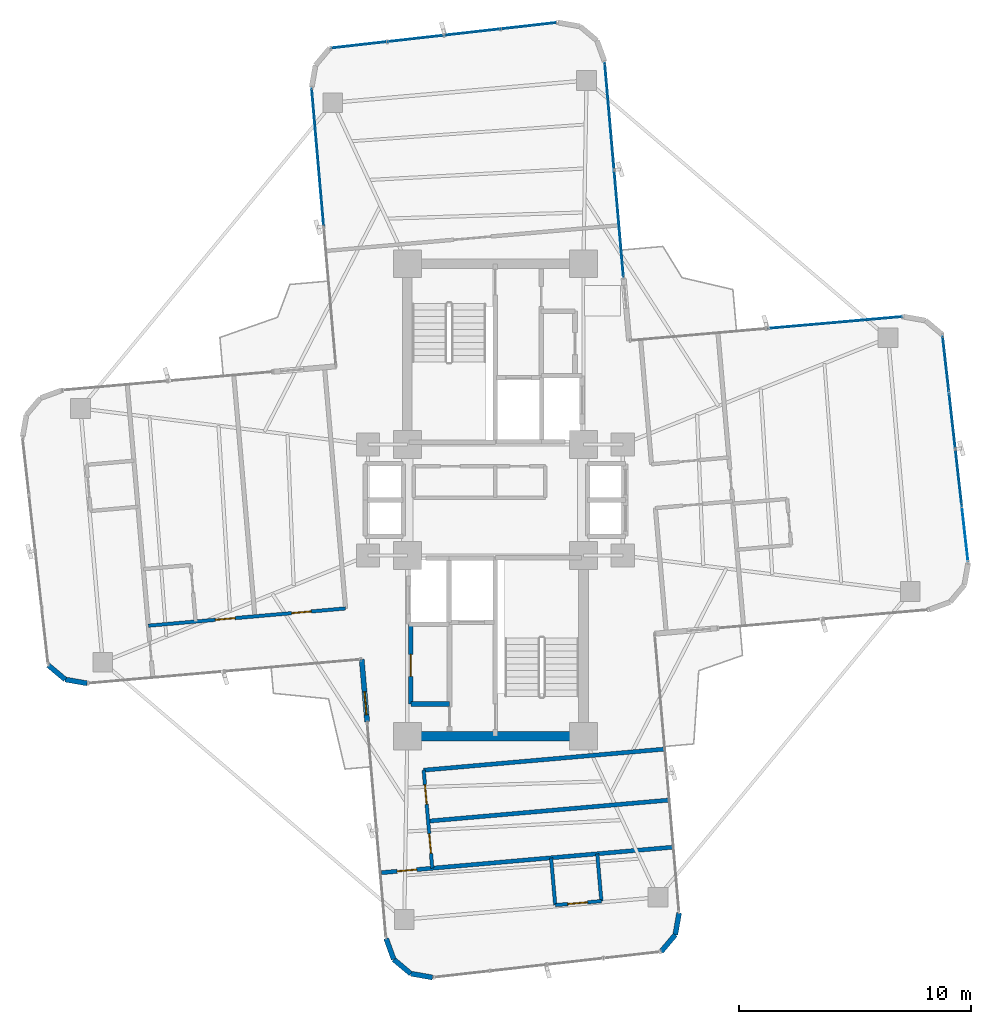
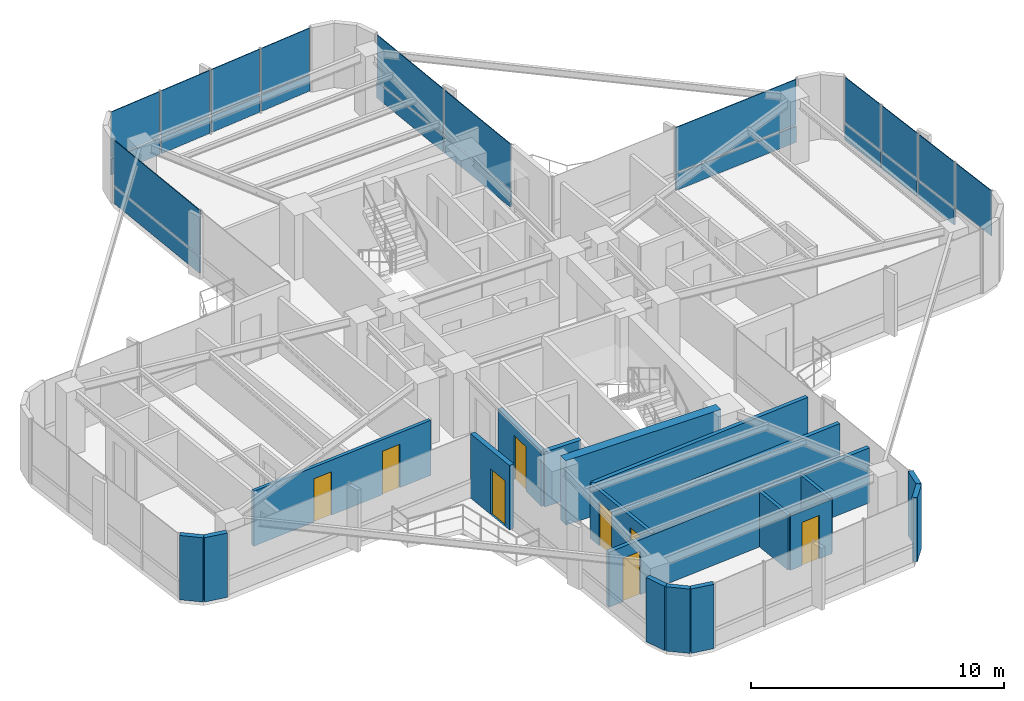
# One storey, part 20 of 24: 23 plates, 19 walls, 8 doors, 8 openings, 5 elements without a shape of their own.
"""IFC4 building model written with IfcOpenShell, lengths in metres."""

from ifc_helpers import new_model, si_unit, direction, frame, frame_2d, origin, origin_2d, place, context, subcontext, project, spatial, rectangle, extrude, source, transform, mapped, material, layer, layer_set, type_object, element, fill, aggregate, save


model = new_model("IFC4")

# Units and contexts
model_context = context("Model", 3, precision=1e-05, world=origin(), true_north=direction((0.0, 1.0)))
body_context = subcontext(model_context, "Body", "Model", "MODEL_VIEW")
ifc_project = project(units=[si_unit("LENGTHUNIT", "METRE"), si_unit("AREAUNIT", "SQUARE_METRE"), si_unit("VOLUMEUNIT", "CUBIC_METRE"), si_unit("PLANEANGLEUNIT", "RADIAN"), si_unit("MASSUNIT", "GRAM", prefix="KILO")], contexts=[model_context])

# Site, building, storey
site_placement = place(None, origin())
site = spatial("IfcSite", under=ifc_project, at=site_placement, CompositionType="ELEMENT")
building_placement = place(site_placement, origin())
building = spatial("IfcBuilding", under=site, at=building_placement, Name="Sahyath Konkavel Grand Hotel", CompositionType="ELEMENT")
storey_placement = place(building_placement, frame((0.0, 0.0, 147.25)))
storey = spatial("IfcBuildingStorey", under=building, at=storey_placement, Name="L40", CompositionType="ELEMENT", Elevation=147.25)

# Curtain wall, plates
ifc_material_1 = material(Name="Anodised Bronze Aluminium & Low-E Glazing", Category="aluminium")
curtain_wall_type = type_object("IfcCurtainWallType", Name="CW-ZONE3", PredefinedType="NOTDEFINED", material=ifc_material_1)
curtain_wall_1_placement = place(storey_placement, origin())
curtain_wall_1 = element("IfcCurtainWall", 1, at=curtain_wall_1_placement, inside=storey, type_object=curtain_wall_type, Name="L40 Unitised Curtain Wall F4", PredefinedType="NOTDEFINED")
ifc_material_2 = material(Name="Warm Buff Sandstone Cladding", Category="masonry")
ifc_layer_1 = layer(ifc_material_2, 0.074951171875)
ifc_layer_set_1 = layer_set([ifc_layer_1], Name="Warm Buff Sandstone Cladding")
plate_type_1 = type_object("IfcPlateType", Name="PNL-SPANDREL-STONE", PredefinedType="SHEET", material=ifc_layer_set_1)
shared_shape_1 = source(origin(), body_context, "Body", "SweptSolid", [
    extrude(rectangle(XDim=2.382080078125, YDim=0.074951171875, at=origin_2d()), origin(), (0.0, 0.0, 1.0), 0.77001953125),
])
plate_1_placement = place(storey_placement, frame((19.99755859375, 0.978515625, 0.0400390625), z_axis=(0.0, 0.0, 1.0), x_axis=(-0.111989252568, 0.993709417943, 0.0)))
plate_1 = element("IfcPlate", 2, at=plate_1_placement, type_object=plate_type_1, Name="L40 Sandstone Relief Spandrel Panel F4-1", PredefinedType="SHEET", context=body_context, shape_type="MappedRepresentation", body=[
    mapped(shared_shape_1, transform((0.0, 0.0, 0.0), scale=1.0)),
])
plate_2_placement = place(storey_placement, frame((19.7216796875, 3.425048828125, 0.0400390625), z_axis=(0.0, 0.0, 1.0), x_axis=(-0.111989252568, 0.993709417943, 0.0)))
plate_2 = element("IfcPlate", 3, at=plate_2_placement, type_object=plate_type_1, Name="L40 Sandstone Relief Spandrel Panel F4-2", PredefinedType="SHEET", context=body_context, shape_type="MappedRepresentation", body=[
    mapped(shared_shape_1, transform((0.0, 0.0, 0.0), scale=1.0)),
])
plate_3_placement = place(storey_placement, frame((19.446044921875, 5.87158203125, 0.0400390625), z_axis=(0.0, 0.0, 1.0), x_axis=(-0.111989252568, 0.993709417943, 0.0)))
plate_3 = element("IfcPlate", 4, at=plate_3_placement, type_object=plate_type_1, Name="L40 Sandstone Relief Spandrel Panel F4-3", PredefinedType="SHEET", context=body_context, shape_type="MappedRepresentation", body=[
    mapped(shared_shape_1, transform((0.0, 0.0, 0.0), scale=1.0)),
])

curtain_wall_2_placement = place(storey_placement, origin())
curtain_wall_2 = element("IfcCurtainWall", 5, at=curtain_wall_2_placement, inside=storey, type_object=curtain_wall_type, Name="L40 Unitised Curtain Wall F12", PredefinedType="NOTDEFINED")
plate_4_placement = place(storey_placement, frame((1.45068359375, 20.47265625, 0.0400390625), z_axis=(0.0, 0.0, 1.0), x_axis=(-0.993707463211, -0.112006596052, 0.0)))
plate_4 = element("IfcPlate", 6, at=plate_4_placement, type_object=plate_type_1, Name="L40 Sandstone Relief Spandrel Panel F12-0", PredefinedType="SHEET", context=body_context, shape_type="MappedRepresentation", body=[
    mapped(shared_shape_1, transform((0.0, 0.0, 0.0), scale=1.0)),
])
plate_5_placement = place(storey_placement, frame((-0.995849609375, 20.197021484375, 0.0400390625), z_axis=(0.0, 0.0, 1.0), x_axis=(-0.993707463211, -0.112006596052, 0.0)))
plate_5 = element("IfcPlate", 7, at=plate_5_placement, type_object=plate_type_1, Name="L40 Sandstone Relief Spandrel Panel F12-1", PredefinedType="SHEET", context=body_context, shape_type="MappedRepresentation", body=[
    mapped(shared_shape_1, transform((0.0, 0.0, 0.0), scale=1.0)),
])
plate_6_placement = place(storey_placement, frame((-3.4423828125, 19.921142578125, 0.0400390625), z_axis=(0.0, 0.0, 1.0), x_axis=(-0.993707463211, -0.112006596052, 0.0)))
plate_6 = element("IfcPlate", 8, at=plate_6_placement, type_object=plate_type_1, Name="L40 Sandstone Relief Spandrel Panel F12-2", PredefinedType="SHEET", context=body_context, shape_type="MappedRepresentation", body=[
    mapped(shared_shape_1, transform((0.0, 0.0, 0.0), scale=1.0)),
])
plate_7_placement = place(storey_placement, frame((-5.888916015625, 19.6455078125, 0.0400390625), z_axis=(0.0, 0.0, 1.0), x_axis=(-0.993707463211, -0.112006596052, 0.0)))
plate_7 = element("IfcPlate", 9, at=plate_7_placement, type_object=plate_type_1, Name="L40 Sandstone Relief Spandrel Panel F12-3", PredefinedType="SHEET", context=body_context, shape_type="MappedRepresentation", body=[
    mapped(shared_shape_1, transform((0.0, 0.0, 0.0), scale=1.0)),
])

# Curtain wall, plate
curtain_wall_3_placement = place(storey_placement, origin())
curtain_wall_3 = element("IfcCurtainWall", 10, at=curtain_wall_3_placement, inside=storey, type_object=curtain_wall_type, Name="L40 Unitised Curtain Wall F7", PredefinedType="NOTDEFINED")
shared_shape_2 = source(origin(), body_context, "Body", "SweptSolid", [
    extrude(rectangle(XDim=5.830078125, YDim=0.074951171875, at=origin_2d()), origin(), (0.0, 0.0, 1.0), 0.77001953125),
])
plate_8_placement = place(storey_placement, frame((14.6435546875, 7.655517578125, 0.0400390625), z_axis=(0.0, 0.0, 1.0), x_axis=(-0.996194698092, -0.087155742748, 0.0)))
plate_8 = element("IfcPlate", 11, at=plate_8_placement, type_object=plate_type_1, Name="L40 Sandstone Relief Spandrel Panel F7-0", PredefinedType="SHEET", context=body_context, shape_type="MappedRepresentation", body=[
    mapped(shared_shape_2, transform((0.0, 0.0, 0.0), scale=1.0)),
])

# Curtain wall, plates
curtain_wall_4_placement = place(storey_placement, origin())
curtain_wall_4 = element("IfcCurtainWall", 12, at=curtain_wall_4_placement, inside=storey, type_object=curtain_wall_type, Name="L40 Unitised Curtain Wall F8", PredefinedType="NOTDEFINED")
shared_shape_3 = source(origin(), body_context, "Body", "SweptSolid", [
    extrude(rectangle(XDim=4.580078125, YDim=0.074951171875, at=origin_2d()), origin(), (0.0, 0.0, 1.0), 0.77001953125),
])
plate_9_placement = place(storey_placement, frame((5.33056640625, 11.929931640625, 0.0400390625), z_axis=(0.0, 0.0, 1.0), x_axis=(-0.087155742748, 0.996194698092, 0.0)))
plate_9 = element("IfcPlate", 13, at=plate_9_placement, type_object=plate_type_1, Name="L40 Sandstone Relief Spandrel Panel F8-0", PredefinedType="SHEET", context=body_context, shape_type="MappedRepresentation", body=[
    mapped(shared_shape_3, transform((0.0, 0.0, 0.0), scale=1.0)),
])
plate_10_placement = place(storey_placement, frame((4.92431640625, 16.572265625, 0.0400390625), z_axis=(0.0, 0.0, 1.0), x_axis=(-0.087155742748, 0.996194698092, 0.0)))
plate_10 = element("IfcPlate", 14, at=plate_10_placement, type_object=plate_type_1, Name="L40 Sandstone Relief Spandrel Panel F8-1", PredefinedType="SHEET", context=body_context, shape_type="MappedRepresentation", body=[
    mapped(shared_shape_3, transform((0.0, 0.0, 0.0), scale=1.0)),
])

# Curtain wall, plate
curtain_wall_5_placement = place(storey_placement, origin())
curtain_wall_5 = element("IfcCurtainWall", 15, at=curtain_wall_5_placement, inside=storey, type_object=curtain_wall_type, Name="L40 Unitised Curtain Wall F15", PredefinedType="NOTDEFINED")
shared_shape_4 = source(origin(), body_context, "Body", "SweptSolid", [
    extrude(rectangle(XDim=5.929931640625, YDim=0.074951171875, at=origin_2d()), origin(), (0.0, 0.0, 1.0), 0.77001953125),
])
plate_11_placement = place(storey_placement, frame((-7.66845703125, 14.79296875, 0.0400390625), z_axis=(0.0, 0.0, 1.0), x_axis=(0.087155742748, -0.996194698092, 0.0)))
plate_11 = element("IfcPlate", 16, at=plate_11_placement, type_object=plate_type_1, Name="L40 Sandstone Relief Spandrel Panel F15-0", PredefinedType="SHEET", context=body_context, shape_type="MappedRepresentation", body=[
    mapped(shared_shape_4, transform((0.0, 0.0, 0.0), scale=1.0)),
])

# Plate
ifc_material_3 = material(Name="Low-E Solar Control Double Glazing", Category="glass")
ifc_layer_2 = layer(ifc_material_3, 0.035888671875)
ifc_layer_set_2 = layer_set([ifc_layer_2], Name="Low-E Solar Control Double Glazing")
plate_type_2 = type_object("IfcPlateType", Name="PNL-VISION-LOWE", PredefinedType="CURTAIN_PANEL", material=ifc_layer_set_2)
shared_shape_5 = source(origin(), body_context, "Body", "SweptSolid", [
    extrude(rectangle(XDim=2.382080078125, YDim=0.035888671875, at=origin_2d()), origin(), (0.0, 0.0, 1.0), 2.179931640625),
])
plate_12_placement = place(storey_placement, frame((20.2734375, -1.468017578125, 0.89013671875), z_axis=(0.0, 0.0, 1.0), x_axis=(-0.111989252568, 0.993709417943, 0.0)))
plate_12 = element("IfcPlate", 17, at=plate_12_placement, type_object=plate_type_2, Name="L40 Low-E Vision Glazing Panel F4-0", PredefinedType="CURTAIN_PANEL", context=body_context, shape_type="MappedRepresentation", body=[
    mapped(shared_shape_5, transform((0.0, 0.0, 0.0), scale=1.0)),
])

plate_13_placement = place(storey_placement, frame((19.99755859375, 0.978515625, 0.89013671875), z_axis=(0.0, 0.0, 1.0), x_axis=(-0.111989252568, 0.993709417943, 0.0)))
plate_13 = element("IfcPlate", 18, at=plate_13_placement, type_object=plate_type_2, Name="L40 Low-E Vision Glazing Panel F4-1", PredefinedType="CURTAIN_PANEL", context=body_context, shape_type="MappedRepresentation", body=[
    mapped(shared_shape_5, transform((0.0, 0.0, 0.0), scale=1.0)),
])

plate_14_placement = place(storey_placement, frame((19.7216796875, 3.425048828125, 0.89013671875), z_axis=(0.0, 0.0, 1.0), x_axis=(-0.111989252568, 0.993709417943, 0.0)))
plate_14 = element("IfcPlate", 19, at=plate_14_placement, type_object=plate_type_2, Name="L40 Low-E Vision Glazing Panel F4-2", PredefinedType="CURTAIN_PANEL", context=body_context, shape_type="MappedRepresentation", body=[
    mapped(shared_shape_5, transform((0.0, 0.0, 0.0), scale=1.0)),
])

plate_15_placement = place(storey_placement, frame((19.446044921875, 5.87158203125, 0.89013671875), z_axis=(0.0, 0.0, 1.0), x_axis=(-0.111989252568, 0.993709417943, 0.0)))
plate_15 = element("IfcPlate", 20, at=plate_15_placement, type_object=plate_type_2, Name="L40 Low-E Vision Glazing Panel F4-3", PredefinedType="CURTAIN_PANEL", context=body_context, shape_type="MappedRepresentation", body=[
    mapped(shared_shape_5, transform((0.0, 0.0, 0.0), scale=1.0)),
])

aggregate(curtain_wall_1, [plate_12, plate_1, plate_13, plate_2, plate_14, plate_3, plate_15])

plate_16_placement = place(storey_placement, frame((1.45068359375, 20.47265625, 0.89013671875), z_axis=(0.0, 0.0, 1.0), x_axis=(-0.993707463211, -0.112006596052, 0.0)))
plate_16 = element("IfcPlate", 21, at=plate_16_placement, type_object=plate_type_2, Name="L40 Low-E Vision Glazing Panel F12-0", PredefinedType="CURTAIN_PANEL", context=body_context, shape_type="MappedRepresentation", body=[
    mapped(shared_shape_5, transform((0.0, 0.0, 0.0), scale=1.0)),
])

plate_17_placement = place(storey_placement, frame((-0.995849609375, 20.197021484375, 0.89013671875), z_axis=(0.0, 0.0, 1.0), x_axis=(-0.993707463211, -0.112006596052, 0.0)))
plate_17 = element("IfcPlate", 22, at=plate_17_placement, type_object=plate_type_2, Name="L40 Low-E Vision Glazing Panel F12-1", PredefinedType="CURTAIN_PANEL", context=body_context, shape_type="MappedRepresentation", body=[
    mapped(shared_shape_5, transform((0.0, 0.0, 0.0), scale=1.0)),
])

plate_18_placement = place(storey_placement, frame((-3.4423828125, 19.921142578125, 0.89013671875), z_axis=(0.0, 0.0, 1.0), x_axis=(-0.993707463211, -0.112006596052, 0.0)))
plate_18 = element("IfcPlate", 23, at=plate_18_placement, type_object=plate_type_2, Name="L40 Low-E Vision Glazing Panel F12-2", PredefinedType="CURTAIN_PANEL", context=body_context, shape_type="MappedRepresentation", body=[
    mapped(shared_shape_5, transform((0.0, 0.0, 0.0), scale=1.0)),
])

plate_19_placement = place(storey_placement, frame((-5.888916015625, 19.6455078125, 0.89013671875), z_axis=(0.0, 0.0, 1.0), x_axis=(-0.993707463211, -0.112006596052, 0.0)))
plate_19 = element("IfcPlate", 24, at=plate_19_placement, type_object=plate_type_2, Name="L40 Low-E Vision Glazing Panel F12-3", PredefinedType="CURTAIN_PANEL", context=body_context, shape_type="MappedRepresentation", body=[
    mapped(shared_shape_5, transform((0.0, 0.0, 0.0), scale=1.0)),
])

aggregate(curtain_wall_2, [plate_4, plate_16, plate_5, plate_17, plate_6, plate_18, plate_7, plate_19])

shared_shape_6 = source(origin(), body_context, "Body", "SweptSolid", [
    extrude(rectangle(XDim=5.830078125, YDim=0.035888671875, at=origin_2d()), origin(), (0.0, 0.0, 1.0), 2.179931640625),
])
plate_20_placement = place(storey_placement, frame((14.6435546875, 7.655517578125, 0.89013671875), z_axis=(0.0, 0.0, 1.0), x_axis=(-0.996194698092, -0.087155742748, 0.0)))
plate_20 = element("IfcPlate", 25, at=plate_20_placement, type_object=plate_type_2, Name="L40 Low-E Vision Glazing Panel F7-0", PredefinedType="CURTAIN_PANEL", context=body_context, shape_type="MappedRepresentation", body=[
    mapped(shared_shape_6, transform((0.0, 0.0, 0.0), scale=1.0)),
])

aggregate(curtain_wall_3, [plate_8, plate_20])

shared_shape_7 = source(origin(), body_context, "Body", "SweptSolid", [
    extrude(rectangle(XDim=4.580078125, YDim=0.035888671875, at=origin_2d()), origin(), (0.0, 0.0, 1.0), 2.179931640625),
])
plate_21_placement = place(storey_placement, frame((5.33056640625, 11.929931640625, 0.89013671875), z_axis=(0.0, 0.0, 1.0), x_axis=(-0.087155742748, 0.996194698092, 0.0)))
plate_21 = element("IfcPlate", 26, at=plate_21_placement, type_object=plate_type_2, Name="L40 Low-E Vision Glazing Panel F8-0", PredefinedType="CURTAIN_PANEL", context=body_context, shape_type="MappedRepresentation", body=[
    mapped(shared_shape_7, transform((0.0, 0.0, 0.0), scale=1.0)),
])

plate_22_placement = place(storey_placement, frame((4.92431640625, 16.572265625, 0.89013671875), z_axis=(0.0, 0.0, 1.0), x_axis=(-0.087155742748, 0.996194698092, 0.0)))
plate_22 = element("IfcPlate", 27, at=plate_22_placement, type_object=plate_type_2, Name="L40 Low-E Vision Glazing Panel F8-1", PredefinedType="CURTAIN_PANEL", context=body_context, shape_type="MappedRepresentation", body=[
    mapped(shared_shape_7, transform((0.0, 0.0, 0.0), scale=1.0)),
])

aggregate(curtain_wall_4, [plate_9, plate_21, plate_10, plate_22])

shared_shape_8 = source(origin(), body_context, "Body", "SweptSolid", [
    extrude(rectangle(XDim=5.929931640625, YDim=0.035888671875, at=origin_2d()), origin(), (0.0, 0.0, 1.0), 2.179931640625),
])
plate_23_placement = place(storey_placement, frame((-7.66845703125, 14.79296875, 0.89013671875), z_axis=(0.0, 0.0, 1.0), x_axis=(0.087155742748, -0.996194698092, 0.0)))
plate_23 = element("IfcPlate", 28, at=plate_23_placement, type_object=plate_type_2, Name="L40 Low-E Vision Glazing Panel F15-0", PredefinedType="CURTAIN_PANEL", context=body_context, shape_type="MappedRepresentation", body=[
    mapped(shared_shape_8, transform((0.0, 0.0, 0.0), scale=1.0)),
])

aggregate(curtain_wall_5, [plate_11, plate_23])

# Walls
ifc_material_4 = material(Name="Concrete C50/60", Category="concrete")
ifc_layer_3 = layer(ifc_material_4, 0.419921875)
ifc_layer_set_3 = layer_set([ifc_layer_3], Name="Concrete C50/60")
wall_type_1 = type_object("IfcWallType", Name="CWALL-420", PredefinedType="SHEAR", material=ifc_layer_set_3)
wall_1_placement = place(storey_placement, frame((-3.550048828125, -10.199951171875, 0.0), z_axis=(0.0, 0.0, 1.0), x_axis=(1.0, 0.0, 0.0)))
element("IfcWall", 29, at=wall_1_placement, inside=storey, type_object=wall_type_1, Name="L40 South Core Shear Wall S", PredefinedType="SHEAR", context=body_context, shape_type="SweptSolid", body=[
    extrude(rectangle(XDim=7.10009765625, YDim=0.419921875, at=frame_2d((3.550048828125, 0.0))), origin(), (0.0, 0.0, 1.0), 3.110107421875),
])
ifc_material_5 = material(Name="Warm Buff Sandstone Insulated Concrete C40/50", Category="masonry")
ifc_layer_4 = layer(ifc_material_5, 0.219970703125)
ifc_layer_set_4 = layer_set([ifc_layer_4], Name="Warm Buff Sandstone Insulated Concrete C40/50")
wall_type_2 = type_object("IfcWallType", Name="WLL-BALC-THRESH", PredefinedType="STANDARD", material=ifc_layer_set_4)
wall_2_placement = place(storey_placement, frame((-19.3037109375, -7.134521484375, 0.0), z_axis=(0.0, 0.0, 1.0), x_axis=(0.766001159887, -0.642839189107, 0.0)))
element("IfcWall", 30, at=wall_2_placement, inside=storey, type_object=wall_type_2, Name="L40 Rounded Corner Sandstone Pier 21", PredefinedType="STANDARD", context=body_context, shape_type="SweptSolid", body=[
    extrude(rectangle(XDim=0.95751953125, YDim=0.219970703125, at=frame_2d((0.478759765625, 0.0))), origin(), (0.0, 0.0, 1.0), 3.110107421875),
])
wall_3_placement = place(storey_placement, frame((-18.5703125, -7.75, 0.0), z_axis=(0.0, 0.0, 1.0), x_axis=(0.984770724397, -0.173858046606, 0.0)))
element("IfcWall", 31, at=wall_3_placement, inside=storey, type_object=wall_type_2, Name="L40 Rounded Corner Sandstone Pier 22", PredefinedType="STANDARD", context=body_context, shape_type="SweptSolid", body=[
    extrude(rectangle(XDim=0.957763671875, YDim=0.219970703125, at=frame_2d((0.47900390625, 0.0))), origin(), (0.0, 0.0, 1.0), 3.110107421875),
])

# Wall, opening, door
wall_4_placement = place(storey_placement, frame((-5.7724609375, -6.87939453125, 0.0), z_axis=(0.0, 0.0, 1.0), x_axis=(0.087168071984, -0.996193619346, 0.0)))
wall_4 = element("IfcWall", 32, at=wall_4_placement, inside=storey, type_object=wall_type_2, Name="L40 Winter-Garden Threshold Wall 24", PredefinedType="STANDARD", context=body_context, shape_type="SweptSolid", body=[
    extrude(rectangle(XDim=2.699951171875, YDim=0.219970703125, at=frame_2d((1.35009765625, 0.0))), origin(), (0.0, 0.0, 1.0), 3.110107421875),
])
opening_1_placement = place(wall_4_placement, frame((1.39990234375, 0.0, 0.0)))
opening_1 = element("IfcOpeningElement", 33, at=opening_1_placement, cuts=wall_4, Name="Opening D-TR1", PredefinedType="OPENING", context=body_context, shape_type="SweptSolid", body=[
    extrude(rectangle(XDim=1.0, YDim=2.199951171875, at=frame_2d((0.5, 1.10009765625))), frame((0.0, 0.1201171875, 0.0), z_axis=(0.0, -1.0, 0.0), x_axis=(1.0, 0.0, 0.0)), (0.0, 0.0, 1.0), 0.239990234375),
])
door_type_1 = type_object("IfcDoorType", Name="DR-TERRACE-1000", OperationType="NOTDEFINED", PredefinedType="DOOR", material=ifc_material_1)
shared_shape_9 = source(origin(), body_context, "Body", "SweptSolid", [
    extrude(rectangle(XDim=1.0, YDim=0.050048828125, at=origin_2d()), origin(), (0.0, 0.0, 1.0), 2.199951171875),
])
door_1_placement = place(opening_1_placement, frame((0.5, 0.0, 0.0)))
door_1 = element("IfcDoor", 34, at=door_1_placement, inside=storey, type_object=door_type_1, Name="L40 Winter-Garden Terrace Door 24", OperationType="SINGLE_SWING_LEFT", OverallHeight=2.199951171875, OverallWidth=1.0, PredefinedType="DOOR", context=body_context, shape_type="MappedRepresentation", body=[
    mapped(shared_shape_9, transform((0.0, 0.0, 0.0), scale=1.0)),
])
fill(opening_1, door_1)

# Walls
wall_5_placement = place(storey_placement, frame((-4.7177734375, -18.93310546875, 0.0), z_axis=(0.0, 0.0, 1.0), x_axis=(0.34188635151, -0.939741306239, 0.0)))
element("IfcWall", 35, at=wall_5_placement, inside=storey, type_object=wall_type_2, Name="L40 Rounded Corner Sandstone Pier 25", PredefinedType="STANDARD", context=body_context, shape_type="SweptSolid", body=[
    extrude(rectangle(XDim=0.95751953125, YDim=0.219970703125, at=frame_2d((0.478759765625, 0.0))), origin(), (0.0, 0.0, 1.0), 3.110107421875),
])
for number, where, z_axis, x_axis, name in (
    (36, (-4.390380859375, -19.8330078125, 0.0), (0.0, 0.0, 1.0), (0.765980978054, -0.642863236823, 0.0), "L40 Rounded Corner Sandstone Pier 26"),
    (37, (-3.65673828125, -20.44873046875, 0.0), (0.0, 0.0, 1.0), (0.984814340885, -0.173610811841, 0.0), "L40 Rounded Corner Sandstone Pier 27"),
):
    element("IfcWall", number, at=place(storey_placement, frame(where, z_axis=z_axis, x_axis=x_axis)), inside=storey, type_object=wall_type_2, Name=name, PredefinedType="STANDARD", context=body_context, shape_type="SweptSolid", body=[
        extrude(rectangle(XDim=0.957763671875, YDim=0.219970703125, at=frame_2d((0.47900390625, 0.0))), origin(), (0.0, 0.0, 1.0), 3.110107421875),
    ])
for number, where, z_axis, x_axis, name in (
    (38, (7.152099609375, -19.5029296875, 0.0), (0.0, 0.0, 1.0), (0.642713642115, 0.766106503196, 0.0), "L40 Rounded Corner Sandstone Pier 29"),
    (39, (7.767578125, -18.769287109375, 0.0), (0.0, 0.0, 1.0), (0.173654409999, 0.984806654064, 0.0), "L40 Rounded Corner Sandstone Pier 30"),
):
    element("IfcWall", number, at=place(storey_placement, frame(where, z_axis=z_axis, x_axis=x_axis)), inside=storey, type_object=wall_type_2, Name=name, PredefinedType="STANDARD", context=body_context, shape_type="SweptSolid", body=[
        extrude(rectangle(XDim=0.95751953125, YDim=0.219970703125, at=frame_2d((0.478759765625, 0.0))), origin(), (0.0, 0.0, 1.0), 3.110107421875),
    ])

# Wall, opening, door
ifc_material_6 = material(Name="Concrete C40/50", Category="concrete")
ifc_layer_5 = layer(ifc_material_6, 0.199951171875)
ifc_layer_set_5 = layer_set([ifc_layer_5], Name="Concrete C40/50")
wall_type_3 = type_object("IfcWallType", Name="WLL-CORE-200", PredefinedType="SOLIDWALL", material=ifc_layer_set_5)
wall_6_placement = place(storey_placement, frame((-3.64990234375, -8.81005859375, 0.0), z_axis=(0.0, 0.0, 1.0), x_axis=(0.0, 1.0, 0.0)))
wall_6 = element("IfcWall", 40, at=wall_6_placement, inside=storey, type_object=wall_type_3, Name="L40 Reclaimed South Core Wall W", PredefinedType="SOLIDWALL", context=body_context, shape_type="SweptSolid", body=[
    extrude(rectangle(XDim=3.43017578125, YDim=0.199951171875, at=frame_2d((1.715087890625, 0.0))), origin(), (0.0, 0.0, 1.0), 2.659912109375),
])
opening_2_placement = place(wall_6_placement, frame((1.199951171875, 0.0, 0.0)))
opening_2 = element("IfcOpeningElement", 41, at=opening_2_placement, cuts=wall_6, Name="Opening D-AC95", PredefinedType="OPENING", context=body_context, shape_type="SweptSolid", body=[
    extrude(rectangle(XDim=0.949951171875, YDim=2.14990234375, at=frame_2d((0.47509765625, 1.074951171875))), frame((0.0, 0.10986328125, 0.0), z_axis=(0.0, -1.0, 0.0), x_axis=(1.0, 0.0, 0.0)), (0.0, 0.0, 1.0), 0.219970703125),
])
ifc_material_7 = material(Name="Accessible Washroom Timber Door", Category="wood")
door_type_2 = type_object("IfcDoorType", Name="DR-ACC-950", OperationType="NOTDEFINED", PredefinedType="DOOR", material=ifc_material_7)
shared_shape_10 = source(origin(), body_context, "Body", "SweptSolid", [
    extrude(rectangle(XDim=0.949951171875, YDim=0.050048828125, at=origin_2d()), origin(), (0.0, 0.0, 1.0), 2.14990234375),
])
door_2_placement = place(opening_2_placement, frame((0.47509765625, 0.0, 0.0)))
door_2 = element("IfcDoor", 42, at=door_2_placement, inside=storey, type_object=door_type_2, Name="L40 Door SC-REC1-D", OperationType="SINGLE_SWING_LEFT", OverallHeight=2.14990234375, OverallWidth=0.949951171875, PredefinedType="DOOR", context=body_context, shape_type="MappedRepresentation", body=[
    mapped(shared_shape_10, transform((0.0, 0.0, 0.0), scale=1.0)),
])
fill(opening_2, door_2)

# Walls
wall_7_placement = place(storey_placement, frame((-3.64990234375, -8.81005859375, 0.0), z_axis=(0.0, 0.0, 1.0), x_axis=(1.0, 0.0, 0.0)))
element("IfcWall", 43, at=wall_7_placement, inside=storey, type_object=wall_type_3, Name="L40 Partition SC-REC-S", PredefinedType="SOLIDWALL", context=body_context, shape_type="SweptSolid", body=[
    extrude(rectangle(XDim=1.669921875, YDim=0.199951171875, at=frame_2d((0.8349609375, 0.0))), origin(), (0.0, 0.0, 1.0), 2.659912109375),
])
ifc_material_8 = material(Name="Twin-Stud Acoustic Gypsum Plasterboard Partition")
ifc_layer_6 = layer(ifc_material_8, 0.179931640625)
ifc_layer_set_6 = layer_set([ifc_layer_6], Name="Twin-Stud Acoustic Gypsum Plasterboard Partition")
wall_type_4 = type_object("IfcWallType", Name="WLL-DEMISE-180", PredefinedType="PARTITIONING", material=ifc_layer_set_6)
wall_8_placement = place(storey_placement, frame((-3.09521484375, -11.6640625, 0.0), z_axis=(0.0, 0.0, 1.0), x_axis=(0.996196061386, 0.087140158824, 0.0)))
element("IfcWall", 44, at=wall_8_placement, inside=storey, type_object=wall_type_4, Name="L40 Partition S-G6I", PredefinedType="PARTITIONING", context=body_context, shape_type="SweptSolid", body=[
    extrude(rectangle(XDim=10.39990234375, YDim=0.179931640625, at=frame_2d((5.199951171875, 0.0))), origin(), (0.0, 0.0, 1.0), 2.659912109375),
])
wall_9_placement = place(storey_placement, frame((-2.902587890625, -13.86572265625, 0.0), z_axis=(0.0, 0.0, 1.0), x_axis=(0.996194201607, 0.087161417409, 0.0)))
element("IfcWall", 45, at=wall_9_placement, inside=storey, type_object=wall_type_4, Name="L40 Partition S-SSL6-DEM", PredefinedType="PARTITIONING", context=body_context, shape_type="SweptSolid", body=[
    extrude(rectangle(XDim=10.400146484375, YDim=0.179931640625, at=frame_2d((5.2001953125, 0.0))), origin(), (0.0, 0.0, 1.0), 2.659912109375),
])

# Wall, opening, door
wall_10_placement = place(storey_placement, frame((-4.91650390625, -16.089599609375, 0.0), z_axis=(0.0, 0.0, 1.0), x_axis=(0.996196619285, 0.087133780622, 0.0)))
wall_10 = element("IfcWall", 46, at=wall_10_placement, inside=storey, type_object=wall_type_4, Name="L40 Partition S-STIP-END", PredefinedType="PARTITIONING", context=body_context, shape_type="SweptSolid", body=[
    extrude(rectangle(XDim=12.60009765625, YDim=0.179931640625, at=frame_2d((6.300048828125, 0.0))), origin(), (0.0, 0.0, 1.0), 2.659912109375),
])
opening_3_placement = place(wall_10_placement, frame((0.675048828125, 0.0, 0.0)))
opening_3 = element("IfcOpeningElement", 47, at=opening_3_placement, cuts=wall_10, Name="Opening D-F06D", PredefinedType="OPENING", context=body_context, shape_type="SweptSolid", body=[
    extrude(rectangle(XDim=0.85009765625, YDim=2.10009765625, at=frame_2d((0.425048828125, 1.050048828125))), frame((0.0, 0.10009765625, 0.0), z_axis=(0.0, -1.0, 0.0), x_axis=(1.0, 0.0, 0.0)), (0.0, 0.0, 1.0), 0.199951171875),
])
ifc_material_9 = material(Name="Fire-Rated Shaft Access Door")
door_type_3 = type_object("IfcDoorType", Name="DR-FD60-850", OperationType="NOTDEFINED", PredefinedType="DOOR", material=ifc_material_9)
shared_shape_11 = source(origin(), body_context, "Body", "SweptSolid", [
    extrude(rectangle(XDim=0.85009765625, YDim=0.050048828125, at=origin_2d()), origin(), (0.0, 0.0, 1.0), 2.10009765625),
])
door_3_placement = place(opening_3_placement, frame((0.425048828125, 0.0, 0.0)))
door_3 = element("IfcDoor", 48, at=door_3_placement, inside=storey, type_object=door_type_3, Name="L40 Door S-STIP-ED", OperationType="SINGLE_SWING_RIGHT", OverallHeight=2.10009765625, OverallWidth=0.85009765625, PredefinedType="DOOR", context=body_context, shape_type="MappedRepresentation", body=[
    mapped(shared_shape_11, transform((0.0, 0.0, 0.0), scale=1.0)),
])
fill(opening_3, door_3)

# Wall, openings, doors
ifc_material_10 = material(Name="Fire-Rated Gypsum Plasterboard Partition")
ifc_layer_7 = layer(ifc_material_10, 0.14990234375)
ifc_layer_set_7 = layer_set([ifc_layer_7], Name="Fire-Rated Gypsum Plasterboard Partition")
wall_type_5 = type_object("IfcWallType", Name="WLL-PART-150", PredefinedType="PARTITIONING", material=ifc_layer_set_7)
wall_11_placement = place(storey_placement, frame((-6.466552734375, -4.681396484375, 0.0), z_axis=(0.0, 0.0, 1.0), x_axis=(-0.996195452949, -0.087147114263, 0.0)))
wall_11 = element("IfcWall", 49, at=wall_11_placement, inside=storey, type_object=wall_type_5, Name="L40 Partition W-G5W", PredefinedType="PARTITIONING", context=body_context, shape_type="SweptSolid", body=[
    extrude(rectangle(XDim=8.550048828125, YDim=0.14990234375, at=frame_2d((4.27490234375, 0.0))), origin(), (0.0, 0.0, 1.0), 2.659912109375),
])
opening_4_placement = place(wall_11_placement, frame((1.490966796875, 0.0, 0.0)))
opening_4 = element("IfcOpeningElement", 50, at=opening_4_placement, cuts=wall_11, Name="Opening D-F06D", PredefinedType="OPENING", context=body_context, shape_type="SweptSolid", body=[
    extrude(rectangle(XDim=0.85009765625, YDim=2.10009765625, at=frame_2d((0.425048828125, 1.050048828125))), frame((0.0, 0.0849609375, 0.0), z_axis=(0.0, -1.0, 0.0), x_axis=(1.0, 0.0, 0.0)), (0.0, 0.0, 1.0), 0.169921875),
])
opening_5_placement = place(wall_11_placement, frame((4.7919921875, 0.0, 0.0)))
opening_5 = element("IfcOpeningElement", 51, at=opening_5_placement, cuts=wall_11, Name="Opening D-F06D", PredefinedType="OPENING", context=body_context, shape_type="SweptSolid", body=[
    extrude(rectangle(XDim=0.85009765625, YDim=2.10009765625, at=frame_2d((0.425048828125, 1.050048828125))), frame((0.0, 0.0849609375, 0.0), z_axis=(0.0, -1.0, 0.0), x_axis=(1.0, 0.0, 0.0)), (0.0, 0.0, 1.0), 0.169921875),
])
door_4_placement = place(opening_4_placement, frame((0.425048828125, 0.0, 0.0)))
door_4 = element("IfcDoor", 52, at=door_4_placement, inside=storey, type_object=door_type_3, Name="L40 Door W-WD1-D", OperationType="SINGLE_SWING_RIGHT", OverallHeight=2.10009765625, OverallWidth=0.85009765625, PredefinedType="DOOR", context=body_context, shape_type="MappedRepresentation", body=[
    mapped(shared_shape_11, transform((0.0, 0.0, 0.0), scale=1.0)),
])
fill(opening_4, door_4)
door_5_placement = place(opening_5_placement, frame((0.425048828125, 0.0, 0.0)))
door_5 = element("IfcDoor", 53, at=door_5_placement, inside=storey, type_object=door_type_3, Name="L40 Door W-WD2-ED", OperationType="SINGLE_SWING_RIGHT", OverallHeight=2.10009765625, OverallWidth=0.85009765625, PredefinedType="DOOR", context=body_context, shape_type="MappedRepresentation", body=[
    mapped(shared_shape_11, transform((0.0, 0.0, 0.0), scale=1.0)),
])
fill(opening_5, door_5)

wall_12_placement = place(storey_placement, frame((-3.09521484375, -11.6640625, 0.0), z_axis=(0.0, 0.0, 1.0), x_axis=(0.087142722004, -0.996195837173, 0.0)))
wall_12 = element("IfcWall", 54, at=wall_12_placement, inside=storey, type_object=wall_type_5, Name="L40 Partition S-G6W", PredefinedType="PARTITIONING", context=body_context, shape_type="SweptSolid", body=[
    extrude(rectangle(XDim=4.25, YDim=0.14990234375, at=frame_2d((2.125, 0.0))), origin(), (0.0, 0.0, 1.0), 2.659912109375),
])
opening_6_placement = place(wall_12_placement, frame((0.6298828125, 0.0, 0.0)))
opening_6 = element("IfcOpeningElement", 55, at=opening_6_placement, cuts=wall_12, Name="Opening D-F06D", PredefinedType="OPENING", context=body_context, shape_type="SweptSolid", body=[
    extrude(rectangle(XDim=0.85009765625, YDim=2.10009765625, at=frame_2d((0.425048828125, 1.050048828125))), frame((0.0, 0.0849609375, 0.0), z_axis=(0.0, -1.0, 0.0), x_axis=(1.0, 0.0, 0.0)), (0.0, 0.0, 1.0), 0.169921875),
])
opening_7_placement = place(wall_12_placement, frame((2.7548828125, 0.0, 0.0)))
opening_7 = element("IfcOpeningElement", 56, at=opening_7_placement, cuts=wall_12, Name="Opening D-F06D", PredefinedType="OPENING", context=body_context, shape_type="SweptSolid", body=[
    extrude(rectangle(XDim=0.85009765625, YDim=2.10009765625, at=frame_2d((0.425048828125, 1.050048828125))), frame((0.0, 0.0849609375, 0.0), z_axis=(0.0, -1.0, 0.0), x_axis=(1.0, 0.0, 0.0)), (0.0, 0.0, 1.0), 0.169921875),
])
door_6_placement = place(opening_6_placement, frame((0.425048828125, 0.0, 0.0)))
door_6 = element("IfcDoor", 57, at=door_6_placement, inside=storey, type_object=door_type_3, Name="L40 Door S-SSL6-D", OperationType="SINGLE_SWING_LEFT", OverallHeight=2.10009765625, OverallWidth=0.85009765625, PredefinedType="DOOR", context=body_context, shape_type="MappedRepresentation", body=[
    mapped(shared_shape_11, transform((0.0, 0.0, 0.0), scale=1.0)),
])
fill(opening_6, door_6)
door_7_placement = place(opening_7_placement, frame((0.425048828125, 0.0, 0.0)))
door_7 = element("IfcDoor", 58, at=door_7_placement, inside=storey, type_object=door_type_3, Name="L40 Door S-SD6-D", OperationType="SINGLE_SWING_RIGHT", OverallHeight=2.10009765625, OverallWidth=0.85009765625, PredefinedType="DOOR", context=body_context, shape_type="MappedRepresentation", body=[
    mapped(shared_shape_11, transform((0.0, 0.0, 0.0), scale=1.0)),
])
fill(opening_7, door_7)

# Walls
for number, where, z_axis, x_axis, name in (
    (59, (4.39794921875, -15.27490234375, 0.0), (0.0, 0.0, 1.0), (0.087184680235, -0.996192165966, 0.0), "L40 Partition S-STIP-BN"),
    (60, (2.405517578125, -15.44921875, 0.0), (0.0, 0.0, 1.0), (0.087184680235, -0.996192165966, 0.0), "L40 Partition S-STIP-BS"),
):
    element("IfcWall", number, at=place(storey_placement, frame(where, z_axis=z_axis, x_axis=x_axis)), inside=storey, type_object=wall_type_5, Name=name, PredefinedType="PARTITIONING", context=body_context, shape_type="SweptSolid", body=[
        extrude(rectangle(XDim=2.0498046875, YDim=0.14990234375, at=frame_2d((1.02490234375, 0.0))), origin(), (0.0, 0.0, 1.0), 2.659912109375),
    ])

# Wall, opening, door
wall_13_placement = place(storey_placement, frame((2.584228515625, -17.4912109375, 0.0), z_axis=(0.0, 0.0, 1.0), x_axis=(0.99619464492, 0.087156350505, 0.0)))
wall_13 = element("IfcWall", 61, at=wall_13_placement, inside=storey, type_object=wall_type_5, Name="L40 Partition S-STIP-BE", PredefinedType="PARTITIONING", context=body_context, shape_type="SweptSolid", body=[
    extrude(rectangle(XDim=2.0, YDim=0.14990234375, at=frame_2d((1.0, 0.0))), origin(), (0.0, 0.0, 1.0), 2.6298828125),
])
opening_8_placement = place(wall_13_placement, frame((0.550048828125, 0.0, 0.0)))
opening_8 = element("IfcOpeningElement", 62, at=opening_8_placement, cuts=wall_13, Name="Opening D-BT85", PredefinedType="OPENING", context=body_context, shape_type="SweptSolid", body=[
    extrude(rectangle(XDim=0.85009765625, YDim=2.10009765625, at=frame_2d((0.425048828125, 1.050048828125))), frame((0.0, 0.0849609375, 0.0), z_axis=(0.0, -1.0, 0.0), x_axis=(1.0, 0.0, 0.0)), (0.0, 0.0, 1.0), 0.169921875),
])
ifc_material_11 = material(Name="Moisture-Resistant Teak Bathroom Door")
door_type_4 = type_object("IfcDoorType", Name="DR-BATH-850", OperationType="NOTDEFINED", PredefinedType="DOOR", material=ifc_material_11)
door_8_placement = place(opening_8_placement, frame((0.425048828125, 0.0, 0.0)))
door_8 = element("IfcDoor", 63, at=door_8_placement, inside=storey, type_object=door_type_4, Name="L40 Door S-STIP-BD", OperationType="SINGLE_SWING_LEFT", OverallHeight=2.10009765625, OverallWidth=0.85009765625, PredefinedType="DOOR", context=body_context, shape_type="MappedRepresentation", body=[
    mapped(shared_shape_11, transform((0.0, 0.0, 0.0), scale=1.0)),
])
fill(opening_8, door_8)

save(model, "model.ifc")
